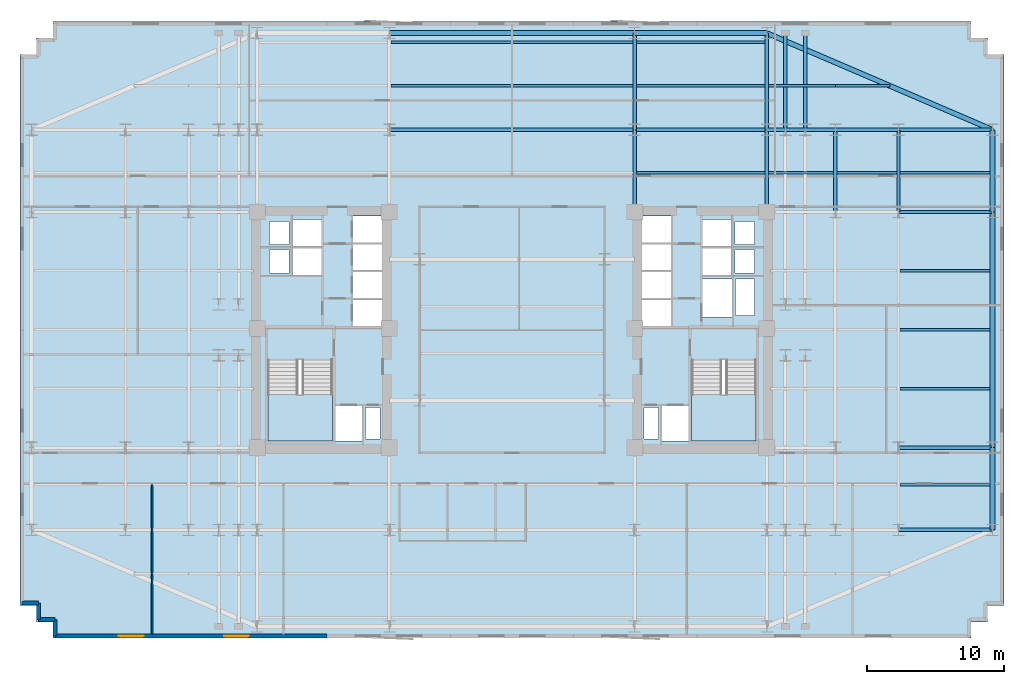
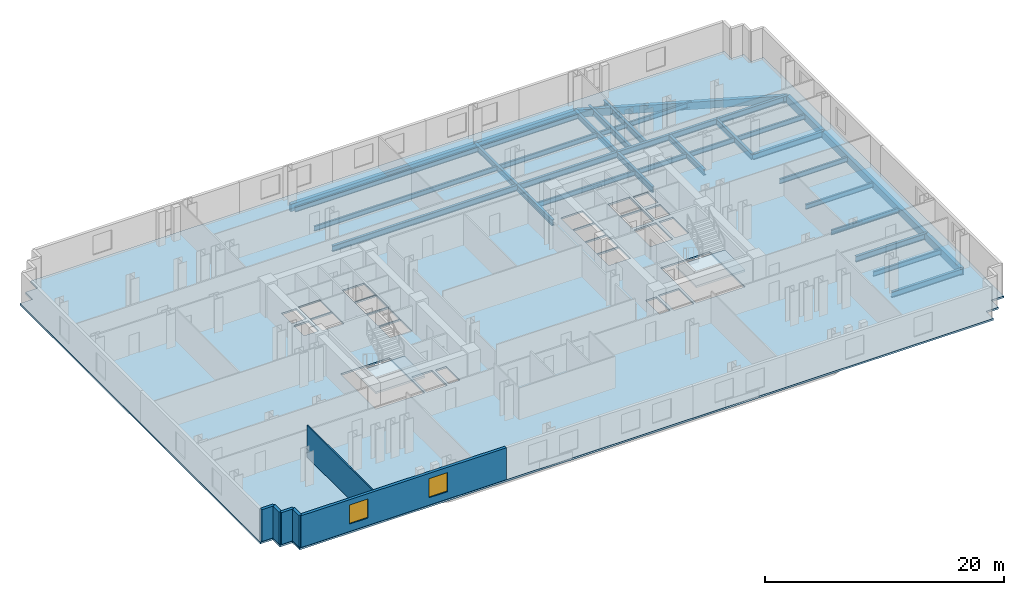
# One storey, part 3 of 10: 36 beams, 6 walls, 3 slabs, 2 windows, 2 openings, 2 elements without a shape of their own.
"""IFC4 building model written with IfcOpenShell, lengths in metres."""

from ifc_helpers import new_model, si_unit, direction, frame, frame_2d, origin, origin_2d, place, context, subcontext, project, spatial, polyline, rectangle, i_section, outline, extrude, material, layer, layer_set, material_profile, profile_set, type_object, element, fill, aggregate, save


model = new_model("IFC4")

# Units and contexts
model_context = context("Model", 3, precision=1e-05, world=origin(), true_north=direction((0.0, 1.0)))
body_context = subcontext(model_context, "Body", "Model", "MODEL_VIEW")
ifc_project = project(units=[si_unit("LENGTHUNIT", "METRE"), si_unit("AREAUNIT", "SQUARE_METRE"), si_unit("VOLUMEUNIT", "CUBIC_METRE"), si_unit("PLANEANGLEUNIT", "RADIAN"), si_unit("MASSUNIT", "GRAM", prefix="KILO")], contexts=[model_context])

# Site, building, storey
site_placement = place(None, origin())
site = spatial("IfcSite", under=ifc_project, at=site_placement, CompositionType="ELEMENT")
building_placement = place(site_placement, origin())
building = spatial("IfcBuilding", under=site, at=building_placement, Name="Velakula Bourse", CompositionType="ELEMENT")
storey_placement = place(building_placement, frame((0.0, 0.0, 55.35009765625)))
storey = spatial("IfcBuildingStorey", under=building, at=storey_placement, Name="L14", CompositionType="ELEMENT", Elevation=55.35009765625)

# Beams
ifc_material_1 = material(Name="Steel IS 2062 Grade 350 (E350)", Category="steel")
ifc_material_profile_1 = material_profile(ifc_material_1, i_section(OverallWidth=0.25, OverallDepth=0.60009765625, WebThickness=0.01171875, FlangeThickness=0.023681640625, at=origin_2d()), Name="Steel IS 2062 Grade 350 (E350)")
ifc_profile_set_1 = profile_set([ifc_material_profile_1], Name="Steel IS 2062 Grade 350 (E350)")
beam_type_1 = type_object("IfcBeamType", Name="BM-GRD-600H", PredefinedType="BEAM", material=ifc_profile_set_1)
for number, where, z_axis, x_axis, name in (
    (1, (8.949951171875, 8.60009765625, -0.47998046875), (0.0, 1.0, 0.0), (-1.0, 0.0, 0.0), "L14 Fulcrum Grid Girder FLC-ECN"),
    (2, (18.60009765625, 8.60009765625, -0.47998046875), (0.0, 1.0, 0.0), (-1.0, 0.0, 0.0), "L14 Fulcrum Grid Girder FLC-EN"),
):
    element("IfcBeam", number, at=place(storey_placement, frame(where, z_axis=z_axis, x_axis=x_axis)), inside=storey, type_object=beam_type_1, Name=name, PredefinedType="BEAM", context=body_context, shape_type="SweptSolid", body=[
        extrude(i_section(OverallWidth=0.25, OverallDepth=0.60009765625, WebThickness=0.01171875, FlangeThickness=0.023681640625, at=origin_2d()), origin(), (0.0, 0.0, 1.0), 6.0),
    ])
beam_1_placement = place(storey_placement, frame((-8.949951171875, 14.60009765625, -0.47998046875), z_axis=(1.0, 0.0, 0.0), x_axis=(0.0, 1.0, 0.0)))
element("IfcBeam", 3, at=beam_1_placement, inside=storey, type_object=beam_type_1, Name="L14 Fulcrum Grid Girder FLC-N2", PredefinedType="BEAM", context=body_context, shape_type="SweptSolid", body=[
    extrude(i_section(OverallWidth=0.25, OverallDepth=0.60009765625, WebThickness=0.01171875, FlangeThickness=0.023681640625, at=origin_2d()), origin(), (0.0, 0.0, 1.0), 17.89990234375),
])
beam_2_placement = place(storey_placement, frame((8.949951171875, 14.60009765625, -0.47998046875), z_axis=(1.0, 0.0, 0.0), x_axis=(0.0, 1.0, 0.0)))
element("IfcBeam", 4, at=beam_2_placement, inside=storey, type_object=beam_type_1, Name="L14 Fulcrum Grid Girder FLC-N3", PredefinedType="BEAM", context=body_context, shape_type="SweptSolid", body=[
    extrude(i_section(OverallWidth=0.25, OverallDepth=0.60009765625, WebThickness=0.01171875, FlangeThickness=0.023681640625, at=origin_2d()), origin(), (0.0, 0.0, 1.0), 9.650146484375),
])
beam_3_placement = place(storey_placement, frame((18.60009765625, 14.60009765625, -0.47998046875), z_axis=(1.0, 0.0, 0.0), x_axis=(0.0, 1.0, 0.0)))
element("IfcBeam", 5, at=beam_3_placement, inside=storey, type_object=beam_type_1, Name="L14 Fulcrum Grid Girder MWG-EN2", PredefinedType="BEAM", context=body_context, shape_type="SweptSolid", body=[
    extrude(i_section(OverallWidth=0.25, OverallDepth=0.60009765625, WebThickness=0.01171875, FlangeThickness=0.023681640625, at=origin_2d()), origin(), (0.0, 0.0, 1.0), 5.0),
])
beam_4_placement = place(storey_placement, frame((23.60009765625, 8.60009765625, -0.47998046875), z_axis=(0.0, 1.0, 0.0), x_axis=(-1.0, 0.0, 0.0)))
element("IfcBeam", 6, at=beam_4_placement, inside=storey, type_object=beam_type_1, Name="L14 Fulcrum Grid Girder MWG-ENS3", PredefinedType="BEAM", context=body_context, shape_type="SweptSolid", body=[
    extrude(i_section(OverallWidth=0.25, OverallDepth=0.60009765625, WebThickness=0.01171875, FlangeThickness=0.023681640625, at=origin_2d()), origin(), (0.0, 0.0, 1.0), 6.0),
])
beam_5_placement = place(storey_placement, frame((23.60009765625, 14.60009765625, -0.47998046875), z_axis=(1.0, 0.0, 0.0), x_axis=(0.0, 1.0, 0.0)))
element("IfcBeam", 7, at=beam_5_placement, inside=storey, type_object=beam_type_1, Name="L14 Fulcrum Grid Girder WNG-EN2", PredefinedType="BEAM", context=body_context, shape_type="SweptSolid", body=[
    extrude(i_section(OverallWidth=0.25, OverallDepth=0.60009765625, WebThickness=0.01171875, FlangeThickness=0.023681640625, at=origin_2d()), origin(), (0.0, 0.0, 1.0), 4.599853515625),
])
beam_6_placement = place(storey_placement, frame((28.199951171875, 8.60009765625, -0.47998046875), z_axis=(0.0, 1.0, 0.0), x_axis=(-1.0, 0.0, 0.0)))
element("IfcBeam", 8, at=beam_6_placement, inside=storey, type_object=beam_type_1, Name="L14 Fulcrum Grid Girder WNG-ENS3", PredefinedType="BEAM", context=body_context, shape_type="SweptSolid", body=[
    extrude(i_section(OverallWidth=0.25, OverallDepth=0.60009765625, WebThickness=0.01171875, FlangeThickness=0.023681640625, at=origin_2d()), origin(), (0.0, 0.0, 1.0), 6.0),
])
for number, where, z_axis, x_axis, name in (
    (9, (8.949951171875, 14.60009765625, -0.47998046875), (0.0, 1.0, 0.0), (-1.0, 0.0, 0.0), "L14 Perimeter Tie Girder N3"),
    (10, (18.60009765625, 14.60009765625, -0.47998046875), (0.0, 1.0, 0.0), (-1.0, 0.0, 0.0), "L14 Perimeter Tie Girder N4"),
):
    element("IfcBeam", number, at=place(storey_placement, frame(where, z_axis=z_axis, x_axis=x_axis)), inside=storey, type_object=beam_type_1, Name=name, PredefinedType="BEAM", context=body_context, shape_type="SweptSolid", body=[
        extrude(i_section(OverallWidth=0.25, OverallDepth=0.60009765625, WebThickness=0.01171875, FlangeThickness=0.023681640625, at=origin_2d()), origin(), (0.0, 0.0, 1.0), 7.0498046875),
    ])
for number, where, z_axis, x_axis, name in (
    (11, (28.199951171875, -14.60009765625, -0.47998046875), (1.0, 0.0, 0.0), (0.0, 1.0, 0.0), "L14 Perimeter Tie Girder E1"),
    (12, (28.199951171875, -8.60009765625, -0.47998046875), (1.0, 0.0, 0.0), (0.0, 1.0, 0.0), "L14 Perimeter Tie Girder E2"),
    (13, (28.199951171875, 8.60009765625, -0.47998046875), (1.0, 0.0, 0.0), (0.0, 1.0, 0.0), "L14 Perimeter Tie Girder E3"),
    (14, (28.199951171875, 14.60009765625, -0.47998046875), (1.0, 0.0, 0.0), (0.0, 1.0, 0.0), "L14 Perimeter Tie Girder E4"),
):
    element("IfcBeam", number, at=place(storey_placement, frame(where, z_axis=z_axis, x_axis=x_axis)), inside=storey, type_object=beam_type_1, Name=name, PredefinedType="BEAM", context=body_context, shape_type="SweptSolid", body=[
        extrude(i_section(OverallWidth=0.25, OverallDepth=0.60009765625, WebThickness=0.01171875, FlangeThickness=0.023681640625, at=origin_2d()), origin(), (0.0, 0.0, 1.0), 6.85009765625),
    ])
for number, where, z_axis, x_axis, name in (
    (15, (19.949951171875, 14.60009765625, -0.47998046875), (0.0, 1.0, 0.0), (-1.0, 0.0, 0.0), "L14 Perimeter Tie Girder P07"),
    (16, (21.39990234375, 14.60009765625, -0.47998046875), (0.0, 1.0, 0.0), (-1.0, 0.0, 0.0), "L14 Perimeter Tie Girder P08"),
):
    element("IfcBeam", number, at=place(storey_placement, frame(where, z_axis=z_axis, x_axis=x_axis)), inside=storey, type_object=beam_type_1, Name=name, PredefinedType="BEAM", context=body_context, shape_type="SweptSolid", body=[
        extrude(i_section(OverallWidth=0.25, OverallDepth=0.60009765625, WebThickness=0.01171875, FlangeThickness=0.023681640625, at=origin_2d()), origin(), (0.0, 0.0, 1.0), 7.0498046875),
    ])
ifc_material_profile_2 = material_profile(ifc_material_1, i_section(OverallWidth=0.179931640625, OverallDepth=0.5, WebThickness=0.01025390625, FlangeThickness=0.01708984375, at=origin_2d()), Name="Steel IS 2062 Grade 350 (E350)")
ifc_profile_set_2 = profile_set([ifc_material_profile_2], Name="Steel IS 2062 Grade 350 (E350)")
beam_type_2 = type_object("IfcBeamType", Name="JST-TWR-500", PredefinedType="JOIST", material=ifc_profile_set_2)
beam_7_placement = place(storey_placement, frame((28.324951171875, -11.300048828125, -0.43017578125), z_axis=(1.0, 0.0, 0.0), x_axis=(0.0, 1.0, 0.0)))
element("IfcBeam", 17, at=beam_7_placement, inside=storey, type_object=beam_type_2, Name="L14 Trading Floor Composite Joist 19", PredefinedType="JOIST", context=body_context, shape_type="SweptSolid", body=[
    extrude(i_section(OverallWidth=0.179931640625, OverallDepth=0.5, WebThickness=0.01025390625, FlangeThickness=0.01708984375, at=origin_2d()), origin(), (0.0, 0.0, 1.0), 6.550048828125),
])
beam_8_placement = place(storey_placement, frame((9.074951171875, 11.449951171875, -0.43017578125), z_axis=(1.0, 0.0, 0.0), x_axis=(0.0, 1.0, 0.0)))
element("IfcBeam", 18, at=beam_8_placement, inside=storey, type_object=beam_type_2, Name="L14 Trading Floor Composite Joist 25", PredefinedType="JOIST", context=body_context, shape_type="SweptSolid", body=[
    extrude(i_section(OverallWidth=0.179931640625, OverallDepth=0.5, WebThickness=0.01025390625, FlangeThickness=0.01708984375, at=origin_2d()), origin(), (0.0, 0.0, 1.0), 9.400146484375),
])
beam_9_placement = place(storey_placement, frame((18.72509765625, 11.449951171875, -0.43017578125), z_axis=(1.0, 0.0, 0.0), x_axis=(0.0, 1.0, 0.0)))
element("IfcBeam", 19, at=beam_9_placement, inside=storey, type_object=beam_type_2, Name="L14 Trading Floor Composite Joist 26", PredefinedType="JOIST", context=body_context, shape_type="SweptSolid", body=[
    extrude(i_section(OverallWidth=0.179931640625, OverallDepth=0.5, WebThickness=0.01025390625, FlangeThickness=0.01708984375, at=origin_2d()), origin(), (0.0, 0.0, 1.0), 4.75),
])
beam_10_placement = place(storey_placement, frame((23.72509765625, 11.449951171875, -0.43017578125), z_axis=(1.0, 0.0, 0.0), x_axis=(0.0, 1.0, 0.0)))
element("IfcBeam", 20, at=beam_10_placement, inside=storey, type_object=beam_type_2, Name="L14 Trading Floor Composite Joist 27", PredefinedType="JOIST", context=body_context, shape_type="SweptSolid", body=[
    extrude(i_section(OverallWidth=0.179931640625, OverallDepth=0.5, WebThickness=0.01025390625, FlangeThickness=0.01708984375, at=origin_2d()), origin(), (0.0, 0.0, 1.0), 4.349853515625),
])
beam_11_placement = place(storey_placement, frame((28.324951171875, 11.449951171875, -0.43017578125), z_axis=(1.0, 0.0, 0.0), x_axis=(0.0, 1.0, 0.0)))
element("IfcBeam", 21, at=beam_11_placement, inside=storey, type_object=beam_type_2, Name="L14 Trading Floor Composite Joist 28", PredefinedType="JOIST", context=body_context, shape_type="SweptSolid", body=[
    extrude(i_section(OverallWidth=0.179931640625, OverallDepth=0.5, WebThickness=0.01025390625, FlangeThickness=0.01708984375, at=origin_2d()), origin(), (0.0, 0.0, 1.0), 6.550048828125),
])
beam_12_placement = place(storey_placement, frame((-8.824951171875, 17.800048828125, -0.43017578125), z_axis=(1.0, 0.0, 0.0), x_axis=(0.0, 1.0, 0.0)))
element("IfcBeam", 22, at=beam_12_placement, inside=storey, type_object=beam_type_2, Name="L14 Trading Floor Composite Joist 32", PredefinedType="JOIST", context=body_context, shape_type="SweptSolid", body=[
    extrude(i_section(OverallWidth=0.179931640625, OverallDepth=0.5, WebThickness=0.01025390625, FlangeThickness=0.01708984375, at=origin_2d()), origin(), (0.0, 0.0, 1.0), 17.64990234375),
])
beam_13_placement = place(storey_placement, frame((9.074951171875, 17.800048828125, -0.43017578125), z_axis=(1.0, 0.0, 0.0), x_axis=(0.0, 1.0, 0.0)))
element("IfcBeam", 23, at=beam_13_placement, inside=storey, type_object=beam_type_2, Name="L14 Trading Floor Composite Joist 33", PredefinedType="JOIST", context=body_context, shape_type="SweptSolid", body=[
    extrude(i_section(OverallWidth=0.179931640625, OverallDepth=0.5, WebThickness=0.01025390625, FlangeThickness=0.01708984375, at=origin_2d()), origin(), (0.0, 0.0, 1.0), 9.400146484375),
])
beam_14_placement = place(storey_placement, frame((18.72509765625, 17.800048828125, -0.43017578125), z_axis=(1.0, 0.0, 0.0), x_axis=(0.0, 1.0, 0.0)))
element("IfcBeam", 24, at=beam_14_placement, inside=storey, type_object=beam_type_2, Name="L14 Trading Floor Composite Joist 34", PredefinedType="JOIST", context=body_context, shape_type="SweptSolid", body=[
    extrude(i_section(OverallWidth=0.179931640625, OverallDepth=0.5, WebThickness=0.01025390625, FlangeThickness=0.01708984375, at=origin_2d()), origin(), (0.0, 0.0, 1.0), 4.875),
])
beam_15_placement = place(storey_placement, frame((23.60009765625, 17.800048828125, -0.43017578125), z_axis=(1.0, 0.0, 0.0), x_axis=(0.0, 1.0, 0.0)))
element("IfcBeam", 25, at=beam_15_placement, inside=storey, type_object=beam_type_2, Name="L14 Trading Floor Composite Joist 35", PredefinedType="JOIST", context=body_context, shape_type="SweptSolid", body=[
    extrude(i_section(OverallWidth=0.179931640625, OverallDepth=0.5, WebThickness=0.01025390625, FlangeThickness=0.01708984375, at=origin_2d()), origin(), (0.0, 0.0, 1.0), 3.983154296875),
])
beam_16_placement = place(storey_placement, frame((-8.824951171875, 21.0, -0.43017578125), z_axis=(1.0, 0.0, 0.0), x_axis=(0.0, 1.0, 0.0)))
element("IfcBeam", 26, at=beam_16_placement, inside=storey, type_object=beam_type_2, Name="L14 Trading Floor Composite Joist 37", PredefinedType="JOIST", context=body_context, shape_type="SweptSolid", body=[
    extrude(i_section(OverallWidth=0.179931640625, OverallDepth=0.5, WebThickness=0.01025390625, FlangeThickness=0.01708984375, at=origin_2d()), origin(), (0.0, 0.0, 1.0), 17.64990234375),
])
beam_17_placement = place(storey_placement, frame((9.074951171875, 21.0, -0.43017578125), z_axis=(1.0, 0.0, 0.0), x_axis=(0.0, 1.0, 0.0)))
element("IfcBeam", 27, at=beam_17_placement, inside=storey, type_object=beam_type_2, Name="L14 Trading Floor Composite Joist 38", PredefinedType="JOIST", context=body_context, shape_type="SweptSolid", body=[
    extrude(i_section(OverallWidth=0.179931640625, OverallDepth=0.5, WebThickness=0.01025390625, FlangeThickness=0.01708984375, at=origin_2d()), origin(), (0.0, 0.0, 1.0), 9.400146484375),
])
for number, where, z_axis, x_axis, name in (
    (28, (28.324951171875, -4.300048828125, -0.43017578125), (1.0, 0.0, 0.0), (0.0, 1.0, 0.0), "L14 Trading Floor Composite Joist 46"),
    (29, (28.324951171875, 0.0, -0.43017578125), (1.0, 0.0, 0.0), (0.0, 1.0, 0.0), "L14 Trading Floor Composite Joist 52"),
    (30, (28.324951171875, 4.300048828125, -0.43017578125), (1.0, 0.0, 0.0), (0.0, 1.0, 0.0), "L14 Trading Floor Composite Joist 58"),
):
    element("IfcBeam", number, at=place(storey_placement, frame(where, z_axis=z_axis, x_axis=x_axis)), inside=storey, type_object=beam_type_2, Name=name, PredefinedType="JOIST", context=body_context, shape_type="SweptSolid", body=[
        extrude(i_section(OverallWidth=0.179931640625, OverallDepth=0.5, WebThickness=0.01025390625, FlangeThickness=0.01708984375, at=origin_2d()), origin(), (0.0, 0.0, 1.0), 6.550048828125),
    ])
ifc_material_2 = material(Name="Precast concrete M45 (fck 45 MPa)", Category="concrete")
ifc_material_profile_3 = material_profile(ifc_material_2, rectangle(XDim=0.35009765625, YDim=0.75, at=origin_2d()), Name="Precast concrete M45 (fck 45 MPa)")
ifc_profile_set_3 = profile_set([ifc_material_profile_3], Name="Precast concrete M45 (fck 45 MPa)")
beam_type_3 = type_object("IfcBeamType", Name="SPN-BRICK-750", PredefinedType="SPANDREL", material=ifc_profile_set_3)
beam_18_placement = place(storey_placement, frame((-8.949951171875, 21.64990234375, -0.55517578125), z_axis=(1.0, 0.0, 0.0), x_axis=(0.0, 1.0, 0.0)))
element("IfcBeam", 31, at=beam_18_placement, inside=storey, type_object=beam_type_3, Name="L14 Brick-Faced Precast Spandrel N2-N3", PredefinedType="SPANDREL", context=body_context, shape_type="SweptSolid", body=[
    extrude(rectangle(XDim=0.35009765625, YDim=0.75, at=origin_2d()), origin(), (0.0, 0.0, 1.0), 17.89990234375),
])
beam_19_placement = place(storey_placement, frame((8.949951171875, 21.64990234375, -0.55517578125), z_axis=(1.0, 0.0, 0.0), x_axis=(0.0, 1.0, 0.0)))
element("IfcBeam", 32, at=beam_19_placement, inside=storey, type_object=beam_type_3, Name="L14 Brick-Faced Precast Spandrel N3-N4", PredefinedType="SPANDREL", context=body_context, shape_type="SweptSolid", body=[
    extrude(rectangle(XDim=0.35009765625, YDim=0.75, at=origin_2d()), origin(), (0.0, 0.0, 1.0), 9.650146484375),
])
beam_20_placement = place(storey_placement, frame((35.050048828125, -14.60009765625, -0.55517578125), z_axis=(0.0, 1.0, 0.0), x_axis=(-1.0, 0.0, 0.0)))
element("IfcBeam", 33, at=beam_20_placement, inside=storey, type_object=beam_type_3, Name="L14 Brick-Faced Precast Spandrel E1-E2", PredefinedType="SPANDREL", context=body_context, shape_type="SweptSolid", body=[
    extrude(rectangle(XDim=0.35009765625, YDim=0.75, at=origin_2d()), origin(), (0.0, 0.0, 1.0), 6.0),
])
beam_21_placement = place(storey_placement, frame((35.050048828125, -8.60009765625, -0.55517578125), z_axis=(0.0, 1.0, 0.0), x_axis=(-1.0, 0.0, 0.0)))
element("IfcBeam", 34, at=beam_21_placement, inside=storey, type_object=beam_type_3, Name="L14 Brick-Faced Precast Spandrel E2-E3", PredefinedType="SPANDREL", context=body_context, shape_type="SweptSolid", body=[
    extrude(rectangle(XDim=0.35009765625, YDim=0.75, at=origin_2d()), origin(), (0.0, 0.0, 1.0), 17.2001953125),
])
beam_22_placement = place(storey_placement, frame((35.050048828125, 8.60009765625, -0.55517578125), z_axis=(0.0, 1.0, 0.0), x_axis=(-1.0, 0.0, 0.0)))
element("IfcBeam", 35, at=beam_22_placement, inside=storey, type_object=beam_type_3, Name="L14 Brick-Faced Precast Spandrel E3-E4", PredefinedType="SPANDREL", context=body_context, shape_type="SweptSolid", body=[
    extrude(rectangle(XDim=0.35009765625, YDim=0.75, at=origin_2d()), origin(), (0.0, 0.0, 1.0), 6.0),
])
beam_23_placement = place(storey_placement, frame((35.050048828125, 14.60009765625, -0.55517578125), z_axis=(-0.919148557947, 0.393911066642, 0.0), x_axis=(-0.393911066642, -0.919148557947, 0.0)))
element("IfcBeam", 36, at=beam_23_placement, inside=storey, type_object=beam_type_3, Name="L14 Brick-Faced Precast Spandrel E4-N4", PredefinedType="SPANDREL", context=body_context, shape_type="SweptSolid", body=[
    extrude(rectangle(XDim=0.35009765625, YDim=0.75, at=origin_2d()), origin(), (0.0, 0.0, 1.0), 17.89697265625),
])

# Stair, slab
ifc_material_3 = material(Name="Concrete M45 (fck 45 MPa)", Category="concrete")
stair_type = type_object("IfcStairType", Name="STR-DOG-390", PredefinedType="HALF_TURN_STAIR", material=ifc_material_3)
stair_1_placement = place(storey_placement, origin())
stair_1 = element("IfcStair", 37, at=stair_1_placement, inside=storey, type_object=stair_type, Name="L14 West Core Exit Stair ST-W1", PredefinedType="HALF_TURN_STAIR")
ifc_layer_1 = layer(ifc_material_3, 0.199951171875, Name="Concrete M45 (fck 45 MPa)", Category="concrete")
ifc_layer_set_1 = layer_set([ifc_layer_1], Name="Concrete M45 (fck 45 MPa)")
slab_type_1 = type_object("IfcSlabType", Name="SLB-STAIR-LND-200", PredefinedType="LANDING", material=ifc_layer_set_1)
slab_1_placement = place(storey_placement, frame((0.0, 0.0, 1.52490234375)))
slab_1 = element("IfcSlab", 38, at=slab_1_placement, type_object=slab_type_1, Name="ST-W1 landing 1", PredefinedType="LANDING", context=body_context, shape_type="SweptSolid", body=[
    extrude(outline(polyline([(-17.820068359375, -4.719970703125), (-17.820068359375, -8.10009765625), (-13.10009765625, -8.10009765625), (-13.10009765625, -4.719970703125), (-17.820068359375, -4.719970703125)])), origin(), (0.0, 0.0, 1.0), 0.199951171875),
])
aggregate(stair_1, [slab_1])

stair_2_placement = place(storey_placement, origin())
stair_2 = element("IfcStair", 39, at=stair_2_placement, inside=storey, type_object=stair_type, Name="L14 East Core Exit Stair ST-E1", PredefinedType="HALF_TURN_STAIR")
slab_2_placement = place(storey_placement, frame((0.0, 0.0, 1.52490234375)))
slab_2 = element("IfcSlab", 40, at=slab_2_placement, type_object=slab_type_1, Name="ST-E1 landing 1", PredefinedType="LANDING", context=body_context, shape_type="SweptSolid", body=[
    extrude(outline(polyline([(13.10009765625, -4.719970703125), (13.10009765625, -8.10009765625), (17.820068359375, -8.10009765625), (17.820068359375, -4.719970703125), (13.10009765625, -4.719970703125)])), origin(), (0.0, 0.0, 1.0), 0.199951171875),
])
aggregate(stair_2, [slab_2])

# Slab
ifc_material_4 = material(Name="Concrete M50 (fck 50 MPa)", Category="concrete")
ifc_layer_2 = layer(ifc_material_4, 0.179931640625, Name="Concrete M50 (fck 50 MPa)", Category="concrete")
ifc_layer_set_2 = layer_set([ifc_layer_2], Name="Concrete M50 (fck 50 MPa)")
slab_type_2 = type_object("IfcSlabType", Name="SLB-TWR-180", PredefinedType="FLOOR", material=ifc_layer_set_2)
slab_3_placement = place(storey_placement, frame((0.0, 0.0, -0.18017578125)))
element("IfcSlab", 41, at=slab_3_placement, inside=storey, type_object=slab_type_2, Name="L14 Suspended Structural Floor Slab", PredefinedType="FLOOR", context=body_context, shape_type="SweptSolid", body=[
    extrude(outline(polyline([(-33.5, -22.5), (33.5, -22.5), (33.5, -21.300048828125), (34.699951171875, -21.300048828125), (34.699951171875, -20.10009765625), (35.89990234375, -20.10009765625), (35.89990234375, 20.10009765625), (34.699951171875, 20.10009765625), (34.699951171875, 21.300048828125), (33.5, 21.300048828125), (33.5, 22.5), (-33.5, 22.5), (-33.5, 21.300048828125), (-34.699951171875, 21.300048828125), (-34.699951171875, 20.10009765625), (-35.89990234375, 20.10009765625), (-35.89990234375, -20.10009765625), (-34.699951171875, -20.10009765625), (-34.699951171875, -21.300048828125), (-33.5, -21.300048828125), (-33.5, -22.5)]), holes=[polyline([(-17.820068359375, -8.10009765625), (-13.10009765625, -8.10009765625), (-13.10009765625, -2.199951171875), (-17.820068359375, -2.199951171875), (-17.820068359375, -8.10009765625)]), polyline([(13.10009765625, -8.10009765625), (17.820068359375, -8.10009765625), (17.820068359375, -2.199951171875), (13.10009765625, -2.199951171875), (13.10009765625, -8.10009765625)]), polyline([(-12.89990234375, -8.10009765625), (-10.949951171875, -8.10009765625), (-10.949951171875, -5.550048828125), (-12.89990234375, -5.550048828125), (-12.89990234375, -8.10009765625)]), polyline([(10.949951171875, -8.10009765625), (12.89990234375, -8.10009765625), (12.89990234375, -5.550048828125), (10.949951171875, -5.550048828125), (10.949951171875, -8.10009765625)]), polyline([(13.89990234375, 0.919921875), (16.050048828125, 0.919921875), (16.050048828125, 3.719970703125), (13.89990234375, 3.719970703125), (13.89990234375, 0.919921875)]), polyline([(-10.679931640625, -7.97998046875), (-9.6201171875, -7.97998046875), (-9.6201171875, -5.669921875), (-10.679931640625, -5.669921875), (-10.679931640625, -7.97998046875)]), polyline([(-17.679931640625, 4.139892578125), (-16.27001953125, 4.139892578125), (-16.27001953125, 5.85009765625), (-17.679931640625, 5.85009765625), (-17.679931640625, 4.139892578125)]), polyline([(-17.679931640625, 6.2099609375), (-16.27001953125, 6.2099609375), (-16.27001953125, 7.919921875), (-17.679931640625, 7.919921875), (-17.679931640625, 6.2099609375)]), polyline([(9.6201171875, -7.97998046875), (10.679931640625, -7.97998046875), (10.679931640625, -5.669921875), (9.6201171875, -5.669921875), (9.6201171875, -7.97998046875)]), polyline([(16.27001953125, 4.139892578125), (17.679931640625, 4.139892578125), (17.679931640625, 5.85009765625), (16.27001953125, 5.85009765625), (16.27001953125, 4.139892578125)]), polyline([(16.27001953125, 6.2099609375), (17.679931640625, 6.2099609375), (17.679931640625, 7.919921875), (16.27001953125, 7.919921875), (16.27001953125, 6.2099609375)]), polyline([(16.320068359375, 1.0400390625), (17.679931640625, 1.0400390625), (17.679931640625, 3.699951171875), (16.320068359375, 3.699951171875), (16.320068359375, 1.0400390625)]), polyline([(-11.60009765625, 0.280029296875), (-9.5, 0.280029296875), (-9.5, 2.199951171875), (-11.60009765625, 2.199951171875), (-11.60009765625, 0.280029296875)]), polyline([(-11.60009765625, 2.31005859375), (-9.5, 2.31005859375), (-9.5, 4.22998046875), (-11.60009765625, 4.22998046875), (-11.60009765625, 2.31005859375)]), polyline([(-11.60009765625, 4.340087890625), (-9.5, 4.340087890625), (-9.5, 6.260009765625), (-11.60009765625, 6.260009765625), (-11.60009765625, 4.340087890625)]), polyline([(-11.60009765625, 6.3701171875), (-9.5, 6.3701171875), (-9.5, 8.2900390625), (-11.60009765625, 8.2900390625), (-11.60009765625, 6.3701171875)]), polyline([(9.5, 0.280029296875), (11.60009765625, 0.280029296875), (11.60009765625, 2.199951171875), (9.5, 2.199951171875), (9.5, 0.280029296875)]), polyline([(9.5, 2.31005859375), (11.60009765625, 2.31005859375), (11.60009765625, 4.22998046875), (9.5, 4.22998046875), (9.5, 2.31005859375)]), polyline([(9.5, 4.340087890625), (11.60009765625, 4.340087890625), (11.60009765625, 6.260009765625), (9.5, 6.260009765625), (9.5, 4.340087890625)]), polyline([(9.5, 6.3701171875), (11.60009765625, 6.3701171875), (11.60009765625, 8.2900390625), (9.5, 8.2900390625), (9.5, 6.3701171875)]), polyline([(-16.0, 4.02001953125), (-13.89990234375, 4.02001953125), (-13.89990234375, 5.969970703125), (-16.0, 5.969970703125), (-16.0, 4.02001953125)]), polyline([(-16.0, 6.090087890625), (-13.89990234375, 6.090087890625), (-13.89990234375, 8.0400390625), (-16.0, 8.0400390625), (-16.0, 6.090087890625)]), polyline([(13.89990234375, 4.02001953125), (16.0, 4.02001953125), (16.0, 5.969970703125), (13.89990234375, 5.969970703125), (13.89990234375, 4.02001953125)]), polyline([(13.89990234375, 6.090087890625), (16.0, 6.090087890625), (16.0, 8.0400390625), (13.89990234375, 8.0400390625), (13.89990234375, 6.090087890625)])]), origin(), (0.0, 0.0, 1.0), 0.18017578125),
])

# Wall, openings, windows
ifc_material_5 = material(Name="Red kilned clay facing brick masonry", Category="masonry")
ifc_layer_3 = layer(ifc_material_5, 0.280029296875, Name="Red kilned clay facing brick masonry", Category="masonry")
ifc_layer_set_3 = layer_set([ifc_layer_3], Name="Red kilned clay facing brick masonry")
wall_type_1 = type_object("IfcWallType", Name="WL-EXT-BRK-280", PredefinedType="STANDARD", material=ifc_layer_set_3)
wall_1_placement = place(storey_placement, frame((-13.5, -22.340087890625, 0.0), z_axis=(0.0, 0.0, 1.0), x_axis=(-1.0, 0.0, 0.0)))
wall_1 = element("IfcWall", 42, at=wall_1_placement, inside=storey, type_object=wall_type_1, Name="L14 S Brick Spandrel Wall B1", PredefinedType="STANDARD", context=body_context, shape_type="SweptSolid", body=[
    extrude(rectangle(XDim=19.840087890625, YDim=0.280029296875, at=frame_2d((9.919921875, 0.0))), origin(), (0.0, 0.0, 1.0), 3.25),
])
opening_1_placement = place(wall_1_placement, frame((5.71337890625, 0.0, 0.760009765625)))
opening_1 = element("IfcOpeningElement", 43, at=opening_1_placement, cuts=wall_1, Name="Opening W-01", PredefinedType="OPENING", context=body_context, shape_type="SweptSolid", body=[
    extrude(rectangle(XDim=1.800048828125, YDim=1.949951171875, at=frame_2d((0.89990234375, 0.97509765625))), frame((0.0, 0.14990234375, 0.0), z_axis=(0.0, -1.0, 0.0), x_axis=(1.0, 0.0, 0.0)), (0.0, 0.0, 1.0), 0.300048828125),
])
opening_2_placement = place(wall_1_placement, frame((13.376708984375, 0.0, 0.760009765625)))
opening_2 = element("IfcOpeningElement", 44, at=opening_2_placement, cuts=wall_1, Name="Opening W-01", PredefinedType="OPENING", context=body_context, shape_type="SweptSolid", body=[
    extrude(rectangle(XDim=1.800048828125, YDim=1.949951171875, at=frame_2d((0.89990234375, 0.97509765625))), frame((0.0, 0.14990234375, 0.0), z_axis=(0.0, -1.0, 0.0), x_axis=(1.0, 0.0, 0.0)), (0.0, 0.0, 1.0), 0.300048828125),
])
ifc_material_6 = material(Name="Double-glazed solar-control Low-E glass", Category="glass")
window_type = type_object("IfcWindowType", Name="WIN-TWR-1800x2100", PartitioningType="SINGLE_PANEL", PredefinedType="WINDOW", material=ifc_material_6)
window_1_placement = place(opening_1_placement, origin())
window_1 = element("IfcWindow", 45, at=window_1_placement, inside=storey, type_object=window_type, Name="L14 Deep-Set Recessed Window 1", OverallHeight=1.949951171875, OverallWidth=1.800048828125, PartitioningType="SINGLE_PANEL", PredefinedType="WINDOW", context=body_context, shape_type="SweptSolid", body=[
    extrude(rectangle(XDim=1.800048828125, YDim=1.949951171875, at=frame_2d((0.89990234375, 0.97509765625))), frame((0.0, 0.030029296875, 0.0), z_axis=(0.0, -1.0, 0.0), x_axis=(1.0, 0.0, 0.0)), (0.0, 0.0, 1.0), 0.06005859375),
])
fill(opening_1, window_1)
window_2_placement = place(opening_2_placement, origin())
window_2 = element("IfcWindow", 46, at=window_2_placement, inside=storey, type_object=window_type, Name="L14 Deep-Set Recessed Window 2", OverallHeight=1.949951171875, OverallWidth=1.800048828125, PartitioningType="SINGLE_PANEL", PredefinedType="WINDOW", context=body_context, shape_type="SweptSolid", body=[
    extrude(rectangle(XDim=1.800048828125, YDim=1.949951171875, at=frame_2d((0.89990234375, 0.97509765625))), frame((0.0, 0.030029296875, 0.0), z_axis=(0.0, -1.0, 0.0), x_axis=(1.0, 0.0, 0.0)), (0.0, 0.0, 1.0), 0.06005859375),
])
fill(opening_2, window_2)

# Walls
for number, where, z_axis, x_axis, name in (
    (47, (-35.739990234375, -19.93994140625, 0.0), (0.0, 0.0, 1.0), (1.0, 0.0, 0.0), "L14 Serrated Corner Brick Wall SW-1"),
    (48, (-34.5400390625, -19.93994140625, 0.0), (0.0, 0.0, 1.0), (0.0, -1.0, 0.0), "L14 Serrated Corner Brick Wall SW-2"),
    (49, (-34.5400390625, -21.139892578125, 0.0), (0.0, 0.0, 1.0), (1.0, 0.0, 0.0), "L14 Serrated Corner Brick Wall SW-3"),
):
    element("IfcWall", number, at=place(storey_placement, frame(where, z_axis=z_axis, x_axis=x_axis)), inside=storey, type_object=wall_type_1, Name=name, PredefinedType="STANDARD", context=body_context, shape_type="SweptSolid", body=[
        extrude(rectangle(XDim=1.199951171875, YDim=0.280029296875, at=frame_2d((0.60009765625, 0.0))), origin(), (0.0, 0.0, 1.0), 3.25),
    ])
wall_2_placement = place(storey_placement, frame((-33.340087890625, -21.139892578125, 0.0), z_axis=(0.0, 0.0, 1.0), x_axis=(0.0, -1.0, 0.0)))
element("IfcWall", 50, at=wall_2_placement, inside=storey, type_object=wall_type_1, Name="L14 Serrated Corner Brick Wall SW-4", PredefinedType="STANDARD", context=body_context, shape_type="SweptSolid", body=[
    extrude(rectangle(XDim=1.2001953125, YDim=0.280029296875, at=frame_2d((0.60009765625, 0.0))), origin(), (0.0, 0.0, 1.0), 3.25),
])
ifc_material_7 = material(Name="Fire-rated double-layer gypsum drywall partition", Category="gypsum")
ifc_layer_4 = layer(ifc_material_7, 0.1201171875, Name="Fire-rated double-layer gypsum drywall partition", Category="gypsum")
ifc_layer_set_4 = layer_set([ifc_layer_4], Name="Fire-rated double-layer gypsum drywall partition")
wall_type_2 = type_object("IfcWallType", Name="WL-PART-120", PredefinedType="STANDARD", material=ifc_layer_set_4)
wall_3_placement = place(storey_placement, frame((-26.258056640625, -22.219970703125, 0.0), z_axis=(0.0, 0.0, 1.0), x_axis=(0.0, 1.0, 0.0)))
element("IfcWall", 51, at=wall_3_placement, inside=storey, type_object=wall_type_2, Name="L14 Interior Partition WL-INT-L14-SL-D5", PredefinedType="STANDARD", context=body_context, shape_type="SweptSolid", body=[
    extrude(rectangle(XDim=10.929931640625, YDim=0.1201171875, at=frame_2d((5.46484375, 0.0))), origin(), (0.0, 0.0, 1.0), 3.25),
])

save(model, "model.ifc")
